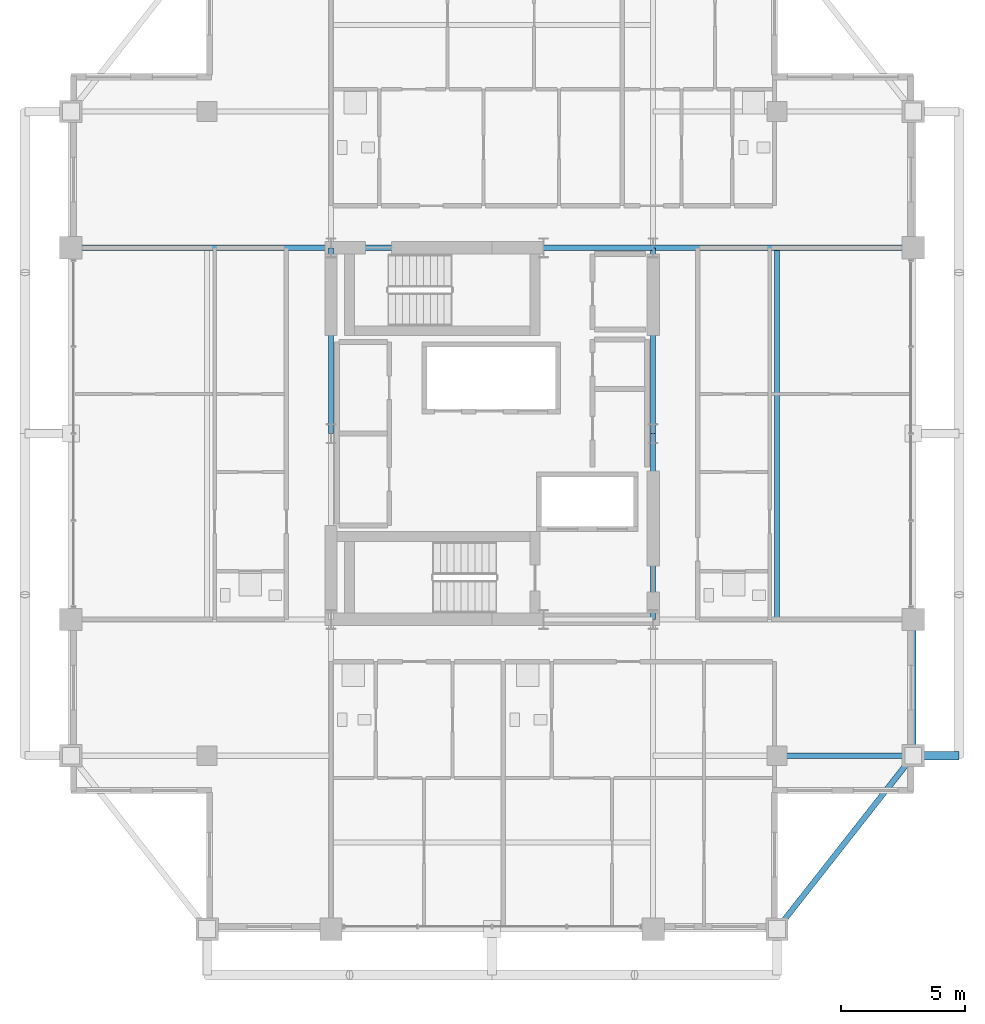
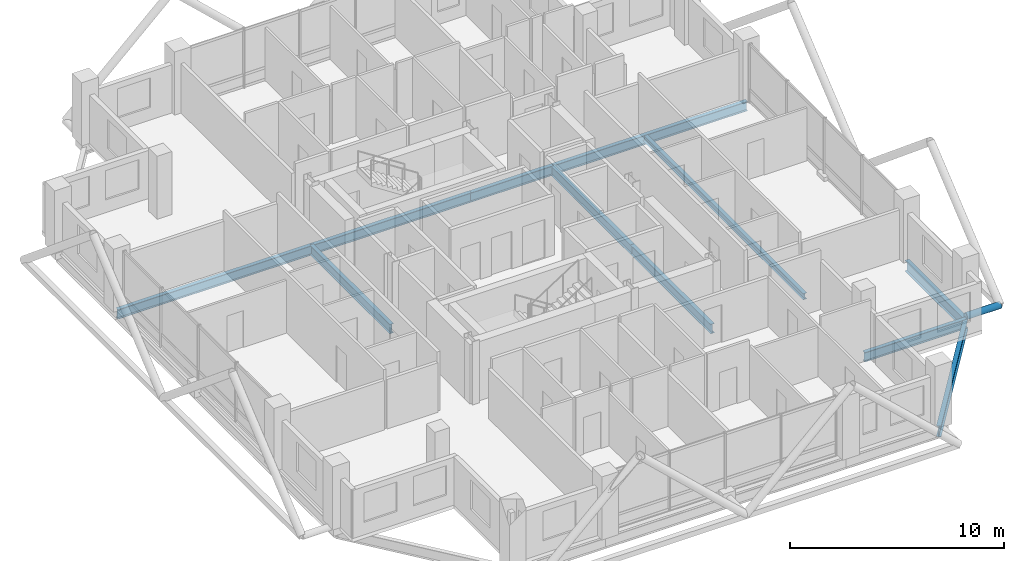
# One storey, part 11 of 25: 11 beams, 1 member.
"""IFC4 building model written with IfcOpenShell, lengths in metres."""

from ifc_helpers import new_model, si_unit, direction, frame, origin, origin_2d, place, context, subcontext, project, spatial, hollow_circle, i_section, extrude, material, material_profile, profile_set, type_object, element, save


model = new_model("IFC4")

# Units and contexts
model_context = context("Model", 3, precision=1e-05, world=origin(), true_north=direction((0.0, 1.0)))
body_context = subcontext(model_context, "Body", "Model", "MODEL_VIEW")
ifc_project = project(units=[si_unit("LENGTHUNIT", "METRE"), si_unit("AREAUNIT", "SQUARE_METRE"), si_unit("VOLUMEUNIT", "CUBIC_METRE"), si_unit("PLANEANGLEUNIT", "RADIAN"), si_unit("MASSUNIT", "GRAM", prefix="KILO")], contexts=[model_context])

# Site, building, storey
site_placement = place(None, origin())
site = spatial("IfcSite", under=ifc_project, at=site_placement, CompositionType="ELEMENT")
building_placement = place(site_placement, origin())
building = spatial("IfcBuilding", under=site, at=building_placement, Name="Barlavira Tower and Art Museum", CompositionType="ELEMENT")
storey_placement = place(building_placement, frame((0.0, 0.0, 229.5)))
storey = spatial("IfcBuildingStorey", under=building, at=storey_placement, Name="L59", CompositionType="ELEMENT", Elevation=229.5)

# Member
ifc_material = material(Name="Steel S355", Category="steel")
ifc_material_profile_1 = material_profile(ifc_material, hollow_circle(Radius=0.177734375, WallThickness=0.01611328125, at=origin_2d()), Name="CHS 355.6x16.0")
ifc_profile_set_1 = profile_set([ifc_material_profile_1], Name="Steel S355")
member_type = type_object("IfcMemberType", Name="Pale-Metal Exoskeleton Tie Strut CHS 356x16 Steel S355", PredefinedType="STRUT", material=ifc_profile_set_1)
member_placement = place(storey_placement, frame((18.85009765625, -13.0, -0.1201171875), z_axis=(-1.0, 0.0, 0.0), x_axis=(0.0, -1.0, 0.0)))
element("IfcMember", 1, at=member_placement, inside=storey, type_object=member_type, Name="L59 Exoskeleton Tie Strut E1", PredefinedType="STRUT", context=body_context, shape_type="SweptSolid", body=[
    extrude(hollow_circle(Radius=0.177734375, WallThickness=0.01611328125, at=origin_2d()), origin(), (0.0, 0.0, 1.0), 1.85009765625),
])

# Beams
ifc_material_profile_2 = material_profile(ifc_material, i_section(OverallWidth=0.22998046875, OverallDepth=0.616943359375, WebThickness=0.01318359375, FlangeThickness=0.022216796875, at=origin_2d()), Name="W610x140.0")
ifc_profile_set_2 = profile_set([ifc_material_profile_2], Name="Steel S355")
beam_type_1 = type_object("IfcBeamType", Name="Upper Shaft Spandrel Edge Beam W610x140 Steel S355", PredefinedType="SPANDREL", material=ifc_profile_set_2)
beam_1_placement = place(storey_placement, frame((11.5, -20.0, -0.528564453125), z_axis=(0.617821551932, 0.786318338822, 0.0), x_axis=(-0.786318338822, 0.617821551932, 0.0)))
element("IfcBeam", 2, at=beam_1_placement, inside=storey, type_object=beam_type_1, Name="L59 Spandrel 4", PredefinedType="SPANDREL", context=body_context, shape_type="SweptSolid", body=[
    extrude(i_section(OverallWidth=0.22998046875, OverallDepth=0.616943359375, WebThickness=0.01318359375, FlangeThickness=0.022216796875, at=origin_2d()), origin(), (0.0, 0.0, 1.0), 8.90234375),
])
beam_2_placement = place(storey_placement, frame((17.0, -13.0, -0.528564453125), z_axis=(0.0, 1.0, 0.0), x_axis=(-1.0, 0.0, 0.0)))
element("IfcBeam", 3, at=beam_2_placement, inside=storey, type_object=beam_type_1, Name="L59 Spandrel 5", PredefinedType="SPANDREL", context=body_context, shape_type="SweptSolid", body=[
    extrude(i_section(OverallWidth=0.22998046875, OverallDepth=0.616943359375, WebThickness=0.01318359375, FlangeThickness=0.022216796875, at=origin_2d()), origin(), (0.0, 0.0, 1.0), 5.5),
])
ifc_material_profile_3 = material_profile(ifc_material, i_section(OverallWidth=0.2109375, OverallDepth=0.5390625, WebThickness=0.01171875, FlangeThickness=0.018798828125, at=origin_2d()), Name="W530x109.0")
ifc_profile_set_3 = profile_set([ifc_material_profile_3], Name="Steel S355")
beam_type_2 = type_object("IfcBeamType", Name="Zone 3-4 Primary Floor Girder W530x109 Steel S355", PredefinedType="BEAM", material=ifc_profile_set_3)
beam_3_placement = place(storey_placement, frame((-6.5, 7.5, -0.489501953125), z_axis=(1.0, 0.0, 0.0), x_axis=(0.0, 1.0, 0.0)))
element("IfcBeam", 4, at=beam_3_placement, inside=storey, type_object=beam_type_2, Name="L59 Girder C-N1", PredefinedType="BEAM", context=body_context, shape_type="SweptSolid", body=[
    extrude(i_section(OverallWidth=0.2109375, OverallDepth=0.5390625, WebThickness=0.01171875, FlangeThickness=0.018798828125, at=origin_2d()), origin(), (0.0, 0.0, 1.0), 8.580078125),
])
beam_4_placement = place(storey_placement, frame((2.080078125, 7.5, -0.489501953125), z_axis=(1.0, 0.0, 0.0), x_axis=(0.0, 1.0, 0.0)))
element("IfcBeam", 5, at=beam_4_placement, inside=storey, type_object=beam_type_2, Name="L59 Girder C-N2", PredefinedType="BEAM", context=body_context, shape_type="SweptSolid", body=[
    extrude(i_section(OverallWidth=0.2109375, OverallDepth=0.5390625, WebThickness=0.01171875, FlangeThickness=0.018798828125, at=origin_2d()), origin(), (0.0, 0.0, 1.0), 4.419921875),
])
for number, where, z_axis, x_axis, name in (
    (6, (-6.5, 0.0, -0.489501953125), (0.0, 1.0, 0.0), (-1.0, 0.0, 0.0), "L59 Girder C-W2"),
    (7, (6.5, -7.5, -0.489501953125), (0.0, 1.0, 0.0), (-1.0, 0.0, 0.0), "L59 Girder C-E1"),
    (8, (6.5, 0.0, -0.489501953125), (0.0, 1.0, 0.0), (-1.0, 0.0, 0.0), "L59 Girder C-E2"),
):
    element("IfcBeam", number, at=place(storey_placement, frame(where, z_axis=z_axis, x_axis=x_axis)), inside=storey, type_object=beam_type_2, Name=name, PredefinedType="BEAM", context=body_context, shape_type="SweptSolid", body=[
        extrude(i_section(OverallWidth=0.2109375, OverallDepth=0.5390625, WebThickness=0.01171875, FlangeThickness=0.018798828125, at=origin_2d()), origin(), (0.0, 0.0, 1.0), 7.5),
    ])
for number, where, z_axis, x_axis, name in (
    (9, (-17.0, 7.5, -0.489501953125), (1.0, 0.0, 0.0), (0.0, 1.0, 0.0), "L59 Girder R-W2"),
    (10, (6.5, 7.5, -0.489501953125), (1.0, 0.0, 0.0), (0.0, 1.0, 0.0), "L59 Girder R-E2"),
):
    element("IfcBeam", number, at=place(storey_placement, frame(where, z_axis=z_axis, x_axis=x_axis)), inside=storey, type_object=beam_type_2, Name=name, PredefinedType="BEAM", context=body_context, shape_type="SweptSolid", body=[
        extrude(i_section(OverallWidth=0.2109375, OverallDepth=0.5390625, WebThickness=0.01171875, FlangeThickness=0.018798828125, at=origin_2d()), origin(), (0.0, 0.0, 1.0), 10.5),
    ])
beam_5_placement = place(storey_placement, frame((11.5, -13.0, -0.489501953125), z_axis=(1.0, 0.0, 0.0), x_axis=(0.0, 1.0, 0.0)))
element("IfcBeam", 11, at=beam_5_placement, inside=storey, type_object=beam_type_2, Name="L59 Girder I-S4", PredefinedType="BEAM", context=body_context, shape_type="SweptSolid", body=[
    extrude(i_section(OverallWidth=0.2109375, OverallDepth=0.5390625, WebThickness=0.01171875, FlangeThickness=0.018798828125, at=origin_2d()), origin(), (0.0, 0.0, 1.0), 5.5),
])
ifc_material_profile_4 = material_profile(ifc_material, i_section(OverallWidth=0.202880859375, OverallDepth=0.346923828125, WebThickness=0.0078125, FlangeThickness=0.013427734375, at=origin_2d()), Name="W360x64.0")
ifc_profile_set_4 = profile_set([ifc_material_profile_4], Name="Steel S355")
beam_type_3 = type_object("IfcBeamType", Name="Zone 4 Composite Floor Joist W360x64 Steel S355", PredefinedType="JOIST", material=ifc_profile_set_4)
beam_6_placement = place(storey_placement, frame((11.5, -7.5, -0.3935546875), z_axis=(0.0, 1.0, 0.0), x_axis=(-1.0, 0.0, 0.0)))
element("IfcBeam", 12, at=beam_6_placement, inside=storey, type_object=beam_type_3, Name="L59 Joist W2", PredefinedType="JOIST", context=body_context, shape_type="SweptSolid", body=[
    extrude(i_section(OverallWidth=0.202880859375, OverallDepth=0.346923828125, WebThickness=0.0078125, FlangeThickness=0.013427734375, at=origin_2d()), origin(), (0.0, 0.0, 1.0), 15.0),
])

save(model, "model.ifc")
